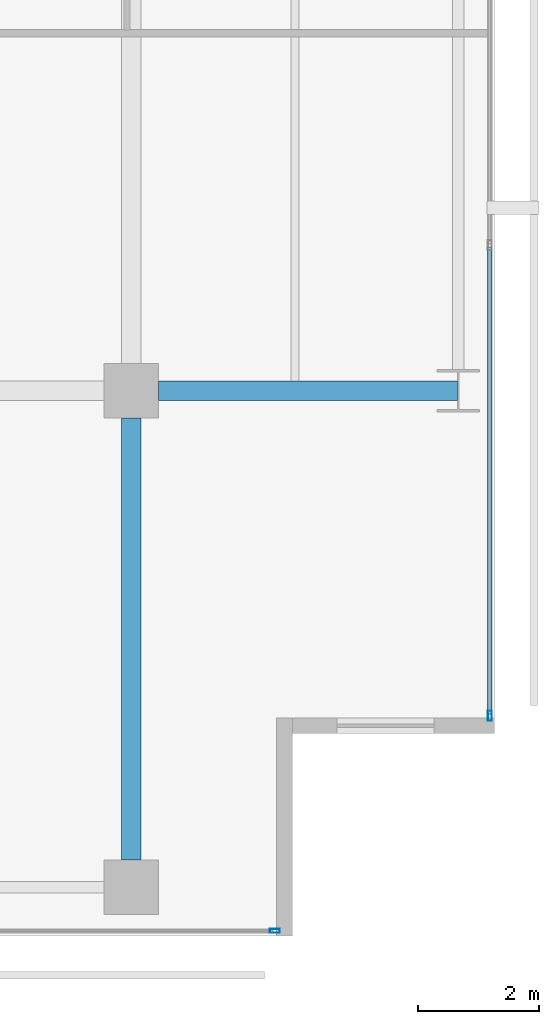
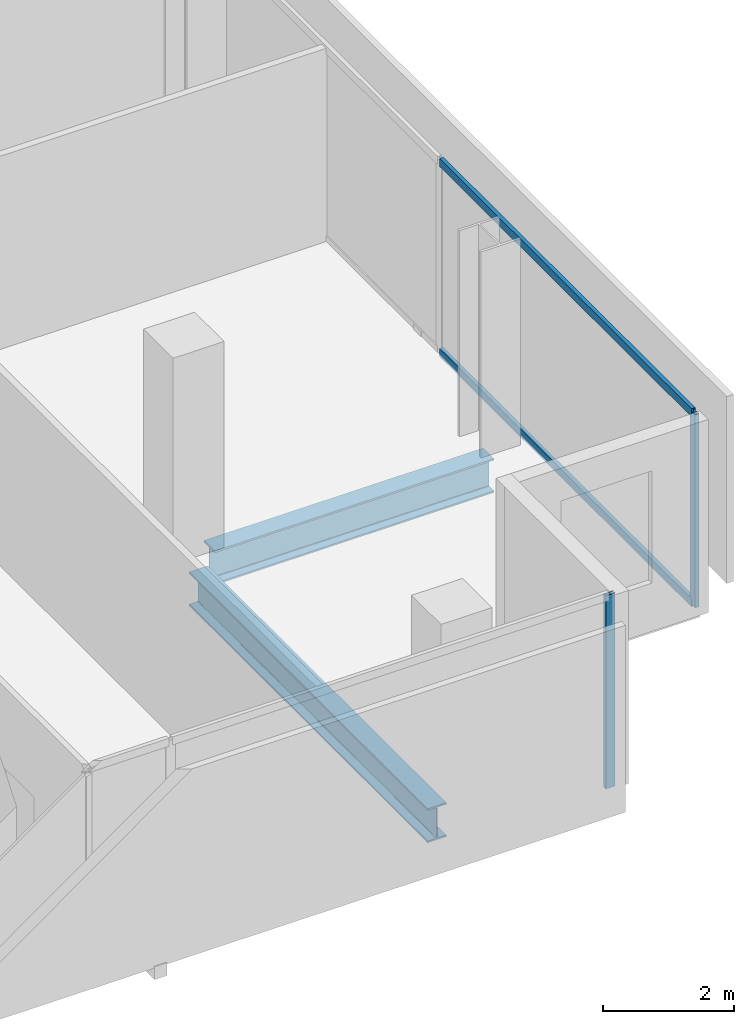
# One storey, part 16 of 40: 4 members, 2 beams, 2 elements without a shape of their own.
"""IFC4 building model written with IfcOpenShell, lengths in metres."""

from ifc_helpers import new_model, si_unit, direction, frame, origin, origin_2d, place, context, subcontext, project, spatial, hollow_rectangle, i_section, extrude, material, layer, layer_set, material_profile, profile_set, type_object, element, aggregate, save


model = new_model("IFC4")

# Units and contexts
model_context = context("Model", 3, precision=1e-05, world=origin(), true_north=direction((0.0, 1.0)))
body_context = subcontext(model_context, "Body", "Model", "MODEL_VIEW")
ifc_project = project(units=[si_unit("LENGTHUNIT", "METRE"), si_unit("AREAUNIT", "SQUARE_METRE"), si_unit("VOLUMEUNIT", "CUBIC_METRE"), si_unit("PLANEANGLEUNIT", "RADIAN"), si_unit("MASSUNIT", "GRAM", prefix="KILO")], contexts=[model_context])

# Site, building, storey
site_placement = place(None, origin())
site = spatial("IfcSite", under=ifc_project, at=site_placement, CompositionType="ELEMENT")
building_placement = place(site_placement, origin())
building = spatial("IfcBuilding", under=site, at=building_placement, Name="Maruvema Waterfront Hotel and Observation Tower", CompositionType="ELEMENT")
storey_placement = place(building_placement, frame((0.0, 0.0, 34.64990234375)))
storey = spatial("IfcBuildingStorey", under=building, at=storey_placement, Name="L07", CompositionType="ELEMENT", Elevation=34.64990234375)

# Curtain wall, members
ifc_material_1 = material(Name="Anodised bronze aluminium and solar-control low-E IGU", Category="aluminium")
ifc_layer = layer(ifc_material_1, 0.159912109375, Name="Zone 1 Bronze Inner Thermal Curtain Wall System CW-02")
ifc_layer_set = layer_set([ifc_layer], Name="Anodised bronze aluminium and solar-control low-E IGU")
curtain_wall_type = type_object("IfcCurtainWallType", Name="Zone 1 Bronze Inner Thermal Curtain Wall System CW-02", PredefinedType="USERDEFINED", material=ifc_layer_set)
curtain_wall_1_placement = place(storey_placement, origin())
curtain_wall_1 = element("IfcCurtainWall", 1, at=curtain_wall_1_placement, inside=storey, type_object=curtain_wall_type, Name="L07 Curtain Wall CW-L07-E", ObjectType="UNITISED CURTAIN WALL", PredefinedType="USERDEFINED")
ifc_material_2 = material(Name="Anodised architectural bronze aluminium", Category="aluminium")
ifc_material_profile_1 = material_profile(ifc_material_2, hollow_rectangle(XDim=0.070068359375, YDim=0.14990234375, WallThickness=0.00390625, at=origin_2d()), Name="ALU-T70x150")
ifc_profile_set_1 = profile_set([ifc_material_profile_1], Name="Anodised architectural bronze aluminium")
member_type_1 = type_object("IfcMemberType", Name="Curtain Wall Horizontal Transom ALU-T70x150", PredefinedType="USERDEFINED", material=ifc_profile_set_1)
member_1_placement = place(storey_placement, frame((64.719970703125, 3.659912109375, 0.030029296875), z_axis=(0.0, 1.0, 0.0), x_axis=(-1.0, 0.0, 0.0)))
member_1 = element("IfcMember", 2, at=member_1_placement, type_object=member_type_1, Name="CW-02 transom 1.1", ObjectType="TRANSOM", PredefinedType="USERDEFINED", context=body_context, shape_type="SweptSolid", body=[
    extrude(hollow_rectangle(XDim=0.070068359375, YDim=0.14990234375, WallThickness=0.00390625, at=origin_2d()), origin(), (0.0, 0.0, 1.0), 7.710205078125),
])
member_2_placement = place(storey_placement, frame((64.719970703125, 3.659912109375, 3.580078125), z_axis=(0.0, 1.0, 0.0), x_axis=(-1.0, 0.0, 0.0)))
member_2 = element("IfcMember", 3, at=member_2_placement, type_object=member_type_1, Name="CW-02 transom 1.2", ObjectType="TRANSOM", PredefinedType="USERDEFINED", context=body_context, shape_type="SweptSolid", body=[
    extrude(hollow_rectangle(XDim=0.070068359375, YDim=0.14990234375, WallThickness=0.00390625, at=origin_2d()), origin(), (0.0, 0.0, 1.0), 7.710205078125),
])

# Curtain wall, member
curtain_wall_2_placement = place(storey_placement, origin())
curtain_wall_2 = element("IfcCurtainWall", 4, at=curtain_wall_2_placement, inside=storey, type_object=curtain_wall_type, Name="L07 Curtain Wall CW-L07-S", ObjectType="UNITISED CURTAIN WALL", PredefinedType="USERDEFINED")
ifc_material_3 = material(Name="Anodised architectural bronze aluminium", Category="aluminium")
ifc_material_profile_2 = material_profile(ifc_material_3, hollow_rectangle(XDim=0.06494140625, YDim=0.1650390625, WallThickness=0.00390625, at=origin_2d()), Name="ALU-M65x165")
ifc_profile_set_2 = profile_set([ifc_material_profile_2], Name="Anodised architectural bronze aluminium")
member_type_2 = type_object("IfcMemberType", Name="Curtain Wall Primary Mullion ALU-M65x165", PredefinedType="MULLION", material=ifc_profile_set_2)
member_3_placement = place(storey_placement, frame((61.169921875, 0.080078125, 0.0), z_axis=(0.0, 0.0, 1.0), x_axis=(0.0, 1.0, 0.0)))
member_3 = element("IfcMember", 5, at=member_3_placement, type_object=member_type_2, Name="CW-02 mullion 7", PredefinedType="MULLION", context=body_context, shape_type="SweptSolid", body=[
    extrude(hollow_rectangle(XDim=0.06494140625, YDim=0.1650390625, WallThickness=0.00390625, at=origin_2d()), origin(), (0.0, 0.0, 1.0), 3.610107421875),
])
aggregate(curtain_wall_2, [member_3])

# Member
member_4_placement = place(storey_placement, frame((64.719970703125, 3.6298828125, 0.0), z_axis=(0.0, 0.0, 1.0), x_axis=(-1.0, 0.0, 0.0)))
member_4 = element("IfcMember", 6, at=member_4_placement, type_object=member_type_2, Name="CW-02 mullion 1", PredefinedType="MULLION", context=body_context, shape_type="SweptSolid", body=[
    extrude(hollow_rectangle(XDim=0.06494140625, YDim=0.1650390625, WallThickness=0.00390625, at=origin_2d()), origin(), (0.0, 0.0, 1.0), 3.610107421875),
])

aggregate(curtain_wall_1, [member_4, member_1, member_2])

# Beams
ifc_material_4 = material(Name="Steel ASTM A572 Grade 50", Category="steel")
ifc_material_profile_3 = material_profile(ifc_material_4, i_section(OverallWidth=0.3291015625, OverallDepth=0.635009765625, WebThickness=0.017822265625, FlangeThickness=0.031005859375, FilletRadius=0.01806640625, at=origin_2d()), Name="W610x241.0")
ifc_profile_set_3 = profile_set([ifc_material_profile_3], Name="Steel ASTM A572 Grade 50")
beam_type = type_object("IfcBeamType", Name="Primary Floor Girder W610x241.0", PredefinedType="BEAM", material=ifc_profile_set_3)
beam_1_placement = place(storey_placement, frame((59.25, 9.0, -0.557373046875), z_axis=(1.0, 0.0, 0.0), x_axis=(0.0, 1.0, 0.0)))
element("IfcBeam", 7, at=beam_1_placement, inside=storey, type_object=beam_type, Name="L07 Floor Girder EW-12", PredefinedType="BEAM", context=body_context, shape_type="SweptSolid", body=[
    extrude(i_section(OverallWidth=0.3291015625, OverallDepth=0.635009765625, WebThickness=0.017822265625, FlangeThickness=0.031005859375, FilletRadius=0.01806640625, at=origin_2d()), origin(), (0.0, 0.0, 1.0), 4.93603515625),
])
beam_2_placement = place(storey_placement, frame((58.800048828125, 1.25, -0.557373046875), z_axis=(0.0, 1.0, 0.0), x_axis=(-1.0, 0.0, 0.0)))
element("IfcBeam", 8, at=beam_2_placement, inside=storey, type_object=beam_type, Name="L07 Floor Girder NS-27", PredefinedType="BEAM", context=body_context, shape_type="SweptSolid", body=[
    extrude(i_section(OverallWidth=0.3291015625, OverallDepth=0.635009765625, WebThickness=0.017822265625, FlangeThickness=0.031005859375, FilletRadius=0.01806640625, at=origin_2d()), origin(), (0.0, 0.0, 1.0), 7.300048828125),
])

save(model, "model.ifc")
